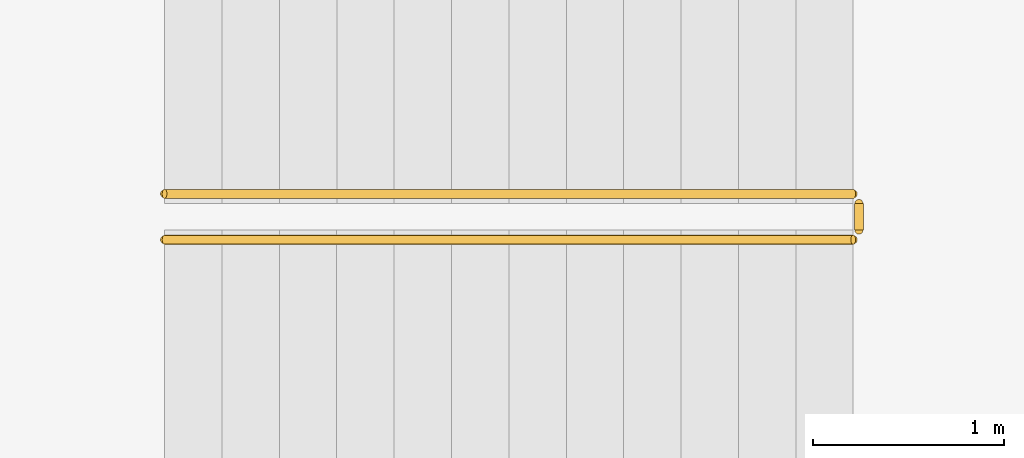
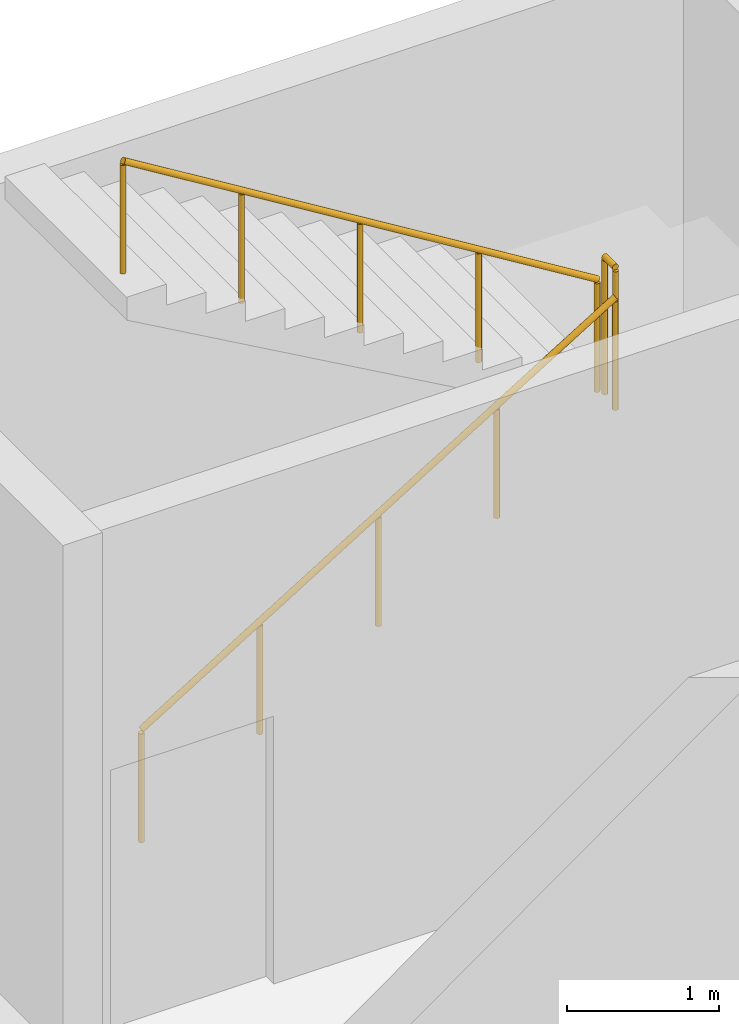
# One storey, part 12 of 13: 3 railings.
"""IFC4 building model written with IfcOpenShell, lengths in metres."""

import ifcopenshell
import ifcopenshell.guid

model = None  # the IFC model being written
_history = None  # IfcOwnerHistory: only IFC2X3 demands one
_inside = {}  # id of a spatial element -> (the spatial element, [elements in it])
_under = {}  # id of a project, library or spatial element -> (it, [spatial elements below it])
_declared = {}  # id of a project -> (the project, [libraries it declares])
_typed = {}  # id of a type object -> (the type object, [elements of that type])
_made_of = {}  # id of a material, layer set ... -> (it, [elements and type objects made of it])


def new_model(schema):
    """Start an empty IFC model of exactly this schema.

    Asked for "IFC4X3", IfcOpenShell would pick the latest addendum, in which some entities
    have other attributes; the version numbers below select the first issue.
    IFC2X3 requires an IfcOwnerHistory on every rooted entity: one is made here for all.
    """
    global model, _history
    if schema == "IFC4X3":
        model = ifcopenshell.file(schema_version=(4, 3, 0, 0))
    else:
        model = ifcopenshell.file(schema=schema)
    _inside.clear()
    _under.clear()
    _declared.clear()
    _typed.clear()
    _made_of.clear()
    _history = None
    if model.schema == "IFC2X3":
        org = make("IfcOrganization", Name="unknown")
        user = make(
            "IfcPersonAndOrganization",
            ThePerson=make("IfcPerson", FamilyName="unknown"),
            TheOrganization=org,
        )
        app = make(
            "IfcApplication",
            ApplicationDeveloper=org,
            Version="unknown",
            ApplicationFullName="unknown",
            ApplicationIdentifier="unknown",
        )
        _history = make(
            "IfcOwnerHistory",
            OwningUser=user,
            OwningApplication=app,
            ChangeAction="ADDED",
            CreationDate=0,
        )
    return model


def make(cls, **values):
    """One entity of the class cls with the attributes given. An attribute that is None is left unset."""
    return model.create_entity(
        cls, **{name: value for name, value in values.items() if value is not None}
    )


def rooted(cls, **values):
    """An entity with a GlobalId (a new one), such as an element, a storey or a relation."""
    return make(cls, GlobalId=ifcopenshell.guid.new(), OwnerHistory=_history, **values)


def si_unit(unit_type, name, prefix=None):
    """IfcSIUnit, for example si_unit("LENGTHUNIT", "METRE", prefix="MILLI")."""
    return make("IfcSIUnit", UnitType=unit_type, Prefix=prefix, Name=name)


def assignment(units):
    """IfcUnitAssignment: the units of a project."""
    return None if units is None else make("IfcUnitAssignment", Units=units)


def point(xyz):
    """IfcCartesianPoint."""
    return None if xyz is None else make("IfcCartesianPoint", Coordinates=xyz)


def direction(xyz):
    """IfcDirection."""
    return None if xyz is None else make("IfcDirection", DirectionRatios=xyz)


def frame(location, z_axis=None, x_axis=None):
    """IfcAxis2Placement3D, a coordinate frame: its origin and axes. An axis left out is left unset."""
    return make(
        "IfcAxis2Placement3D",
        Location=point(location),
        Axis=direction(z_axis),
        RefDirection=direction(x_axis),
    )


def frame_2d(location, x_axis=None):
    """IfcAxis2Placement2D, a coordinate frame in the plane: its origin and x axis."""
    return make(
        "IfcAxis2Placement2D", Location=point(location), RefDirection=direction(x_axis)
    )


def origin():
    """The frame at (0, 0, 0) with its axes left unset."""
    return frame((0.0, 0.0, 0.0))


def origin_2d():
    """The frame at (0, 0) in the plane with its x axis left unset."""
    return frame_2d((0.0, 0.0))


def place(relative_to, where):
    """IfcLocalPlacement: puts the frame where relative to a parent placement (None: the world)."""
    return make(
        "IfcLocalPlacement", PlacementRelTo=relative_to, RelativePlacement=where
    )


def context(
    kind, dimensions, precision=None, world=None, true_north=None, identifier=None
):
    """IfcGeometricRepresentationContext, for example the 3D "Model" context."""
    return make(
        "IfcGeometricRepresentationContext",
        ContextIdentifier=identifier,
        ContextType=kind,
        CoordinateSpaceDimension=dimensions,
        Precision=precision,
        WorldCoordinateSystem=world,
        TrueNorth=true_north,
    )


def subcontext(parent, identifier, kind, view, scale=None):
    """IfcGeometricRepresentationSubContext, for example "Body" below "Model"."""
    return make(
        "IfcGeometricRepresentationSubContext",
        ContextIdentifier=identifier,
        ContextType=kind,
        ParentContext=parent,
        TargetScale=scale,
        TargetView=view,
    )


def project(units=None, contexts=None):
    """IfcProject with its units and contexts."""
    return rooted(
        "IfcProject",
        Name="project",
        RepresentationContexts=contexts,
        UnitsInContext=assignment(units),
    )


def spatial(cls, under=None, at=None, **own):
    """A site, building, storey or space (cls), placed at a placement, below another one or the project."""
    s = rooted(cls, ObjectPlacement=at, **own)
    if under is not None:
        _under.setdefault(under.id(), (under, []))[1].append(s)
    return s


def profile(cls, at=None, kind="AREA", **sizes):
    """A parametric profile (cls). Its sizes go by their IFC names, for example OverallWidth=200.0."""
    return make(cls, ProfileType=kind, Position=at, **sizes)


def circle(**sizes):
    """IfcCircleProfileDef."""
    return profile("IfcCircleProfileDef", **sizes)


def extrude(swept, where, along, depth):
    """IfcExtrudedAreaSolid: the profile swept, set in the frame where, extruded along a direction by depth."""
    return make(
        "IfcExtrudedAreaSolid",
        SweptArea=swept,
        Position=where,
        ExtrudedDirection=direction(along),
        Depth=depth,
    )


def shape(context_of_items, identifier, shape_type, items):
    """IfcShapeRepresentation: the items that make up one representation, for example the "Body"."""
    return make(
        "IfcShapeRepresentation",
        ContextOfItems=context_of_items,
        RepresentationIdentifier=identifier,
        RepresentationType=shape_type,
        Items=items,
    )


def material(Name=None, Category=None):
    """IfcMaterial."""
    return make("IfcMaterial", Name=Name, Category=Category)


def made_of(thing, what):
    """Note that an element or type object is made of a material, layer set ...; save() writes the relation."""
    if what is not None:
        _made_of.setdefault(what.id(), (what, []))[1].append(thing)
    return thing


def type_object(cls, material=None, **own):
    """A type object (cls), such as IfcWallType, which elements share."""
    return made_of(rooted(cls, **own), material)


def element(
    cls,
    number,
    at=None,
    inside=None,
    cuts=None,
    type_object=None,
    material=None,
    context=None,
    identifier="Body",
    shape_type=None,
    held_by="IfcProductDefinitionShape",
    body=None,
    shapes=None,
    **own,
):
    """One element of the class cls, such as IfcWall. Its Tag is "e" and its number.

    at: its placement. inside: the storey or other place that contains it. cuts: it is an
    opening in that element (IfcRelVoidsElement). A single representation is given by context,
    identifier, shape_type and body (its items); several are given by shapes. held_by: the class
    of the entity that holds the representations. save() writes the other relations.
    """
    e = rooted(cls, Tag="e%d" % number, ObjectPlacement=at, **own)
    if body is not None:
        shapes = [shape(context, identifier, shape_type, body)]
    if shapes is not None:
        e.Representation = make(held_by, Representations=shapes)
    if inside is not None:
        _inside.setdefault(inside.id(), (inside, []))[1].append(e)
    if cuts is not None:
        rooted(
            "IfcRelVoidsElement", RelatingBuildingElement=cuts, RelatedOpeningElement=e
        )
    if type_object is not None:
        _typed.setdefault(type_object.id(), (type_object, []))[1].append(e)
    return made_of(e, material)


def aggregate(whole, parts):
    """IfcRelAggregates: a whole, such as a stair, and the parts it consists of."""
    return rooted("IfcRelAggregates", RelatingObject=whole, RelatedObjects=parts)


def save(model, path):
    """Write the relations noted so far, then the file.

    IfcRelAggregates (storeys below a building ...), IfcRelContainedInSpatialStructure (elements
    in a storey), IfcRelDefinesByType, IfcRelAssociatesMaterial and IfcRelDeclares: one each for
    every whole, place, type object, material and project.
    """
    for whole, parts in _under.values():
        aggregate(whole, parts)
    for where, things in _inside.values():
        rooted(
            "IfcRelContainedInSpatialStructure",
            RelatedElements=things,
            RelatingStructure=where,
        )
    for kind, things in _typed.values():
        rooted("IfcRelDefinesByType", RelatedObjects=things, RelatingType=kind)
    for what, things in _made_of.values():
        rooted("IfcRelAssociatesMaterial", RelatedObjects=things, RelatingMaterial=what)
    for by, libraries in _declared.values():
        rooted("IfcRelDeclares", RelatingContext=by, RelatedDefinitions=libraries)
    model.write(path)


model = new_model("IFC4")

# Units and contexts
model_context = context("Model", 3, precision=1e-05, world=origin(), true_north=direction((0.0, 1.0)))
body_context = subcontext(model_context, "Body", "Model", "MODEL_VIEW")
ifc_project = project(units=[si_unit("LENGTHUNIT", "METRE"), si_unit("AREAUNIT", "SQUARE_METRE"), si_unit("VOLUMEUNIT", "CUBIC_METRE"), si_unit("PLANEANGLEUNIT", "RADIAN"), si_unit("MASSUNIT", "GRAM", prefix="KILO")], contexts=[model_context])

# Site, building, storey
site_placement = place(None, origin())
site = spatial("IfcSite", under=ifc_project, at=site_placement, CompositionType="ELEMENT")
building_placement = place(site_placement, origin())
building = spatial("IfcBuilding", under=site, at=building_placement, Name="Asteropetra Specialist Clinic", CompositionType="ELEMENT")
storey_placement = place(building_placement, frame((0.0, 0.0, -4.419921875)))
storey = spatial("IfcBuildingStorey", under=building, at=storey_placement, Name="B1", CompositionType="ELEMENT", Elevation=-4.419921875)

# Railings
ifc_material_1 = material(Name="Steel S355 and laminated glass guard", Category="steel")
railing_type_1 = type_object("IfcRailingType", Name="GRD-INT-1120", PredefinedType="GUARDRAIL", material=ifc_material_1)
railing_1_placement = place(storey_placement, frame((34.3798828125, 60.02001953125, 2.2099609375)))
element("IfcRailing", 1, at=railing_1_placement, inside=storey, type_object=railing_type_1, Name="Landing Slot Guard ST05-B1", PredefinedType="GUARDRAIL", context=body_context, shape_type="SweptSolid", body=[
    extrude(circle(Radius=0.02392578125, at=origin_2d()), frame((0.0, 0.0, 1.09619140625), z_axis=(0.0, 1.0, 0.0), x_axis=(-1.0, 0.0, 0.0)), (0.0, 0.0, 1.0), 0.139892578125),
    extrude(circle(Radius=0.02099609375, at=origin_2d()), origin(), (0.0, 0.0, 1.0), 1.072021484375),
    extrude(circle(Radius=0.02099609375, at=origin_2d()), frame((0.0, 0.139892578125, 0.0)), (0.0, 0.0, 1.0), 1.072021484375),
])
ifc_material_2 = material(Name="Brushed stainless steel handrail", Category="steel")
railing_type_2 = type_object("IfcRailingType", Name="HRL-STAIR-920", PredefinedType="HANDRAIL", material=ifc_material_2)
railing_2_placement = place(storey_placement, frame((30.75, 59.969970703125, 0.0)))
element("IfcRailing", 2, at=railing_2_placement, inside=storey, type_object=railing_type_2, Name="Stair Handrail ST05-B1 F1", PredefinedType="HANDRAIL", context=body_context, shape_type="SweptSolid", body=[
    extrude(circle(Radius=0.02392578125, at=origin_2d()), frame((0.0, 0.0, 0.89599609375), z_axis=(0.85223722916, 0.0, 0.523155526811), x_axis=(0.0, 1.0, 0.0)), (0.0, 0.0, 1.0), 4.224365234375),
    extrude(circle(Radius=0.02099609375, at=origin_2d()), origin(), (0.0, 0.0, 1.0), 0.871826171875),
    extrude(circle(Radius=0.02099609375, at=origin_2d()), frame((0.89990234375, 0.0, 0.552490234375)), (0.0, 0.0, 1.0), 0.871826171875),
    extrude(circle(Radius=0.02099609375, at=origin_2d()), frame((1.800048828125, 0.0, 1.10498046875)), (0.0, 0.0, 1.0), 0.871826171875),
    extrude(circle(Radius=0.02099609375, at=origin_2d()), frame((2.7001953125, 0.0, 1.657470703125)), (0.0, 0.0, 1.0), 0.871826171875),
    extrude(circle(Radius=0.02099609375, at=origin_2d()), frame((3.60009765625, 0.0, 2.2099609375)), (0.0, 0.0, 1.0), 0.871826171875),
])
railing_3_placement = place(storey_placement, frame((34.35009765625, 60.2099609375, 2.2099609375)))
element("IfcRailing", 3, at=railing_3_placement, inside=storey, type_object=railing_type_2, Name="Stair Handrail ST05-B1 F2", PredefinedType="HANDRAIL", context=body_context, shape_type="SweptSolid", body=[
    extrude(circle(Radius=0.02392578125, at=origin_2d()), frame((0.0, 0.0, 0.89599609375), z_axis=(-0.85223722916, 0.0, 0.523155526811), x_axis=(0.0, -1.0, 0.0)), (0.0, 0.0, 1.0), 4.224365234375),
    extrude(circle(Radius=0.02099609375, at=origin_2d()), origin(), (0.0, 0.0, 1.0), 0.871826171875),
    extrude(circle(Radius=0.02099609375, at=origin_2d()), frame((-0.89990234375, 0.0, 0.552490234375)), (0.0, 0.0, 1.0), 0.871826171875),
    extrude(circle(Radius=0.02099609375, at=origin_2d()), frame((-1.800048828125, 0.0, 1.10498046875)), (0.0, 0.0, 1.0), 0.871826171875),
    extrude(circle(Radius=0.02099609375, at=origin_2d()), frame((-2.7001953125, 0.0, 1.657470703125)), (0.0, 0.0, 1.0), 0.871826171875),
    extrude(circle(Radius=0.02099609375, at=origin_2d()), frame((-3.60009765625, 0.0, 2.2099609375)), (0.0, 0.0, 1.0), 0.871826171875),
])

save(model, "model.ifc")
